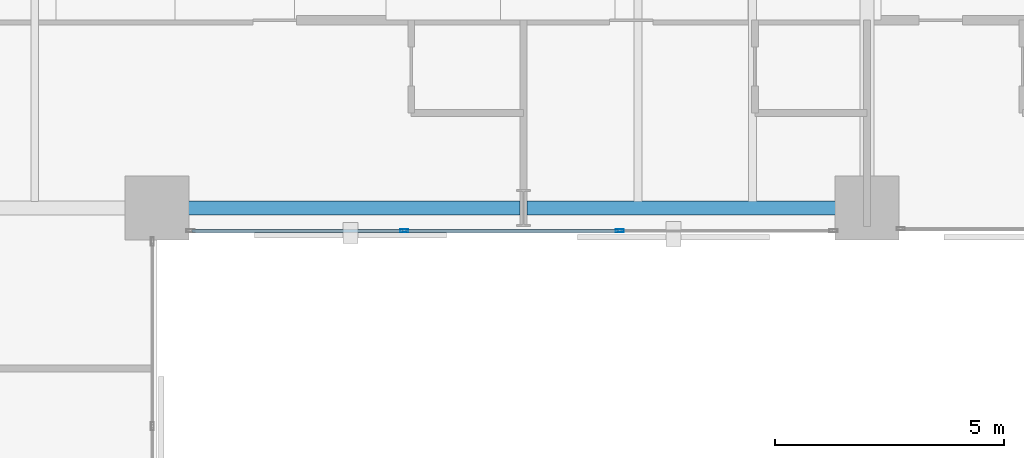
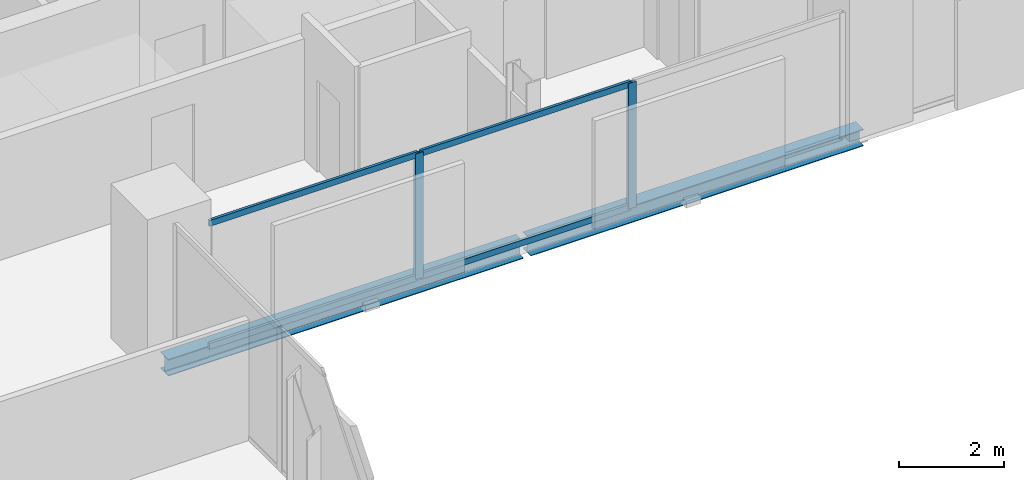
# One storey, part 14 of 33: 6 members, 2 beams, 1 element without a shape of its own.
"""IFC4 building model written with IfcOpenShell, lengths in metres."""

from ifc_helpers import new_model, si_unit, direction, frame, origin, origin_2d, place, context, subcontext, project, spatial, hollow_rectangle, i_section, extrude, material, layer, layer_set, material_profile, profile_set, type_object, element, aggregate, save


model = new_model("IFC4")

# Units and contexts
model_context = context("Model", 3, precision=1e-05, world=origin(), true_north=direction((0.0, 1.0)))
body_context = subcontext(model_context, "Body", "Model", "MODEL_VIEW")
ifc_project = project(units=[si_unit("LENGTHUNIT", "METRE"), si_unit("AREAUNIT", "SQUARE_METRE"), si_unit("VOLUMEUNIT", "CUBIC_METRE"), si_unit("PLANEANGLEUNIT", "RADIAN"), si_unit("MASSUNIT", "GRAM", prefix="KILO")], contexts=[model_context])

# Site, building, storey
site_placement = place(None, origin())
site = spatial("IfcSite", under=ifc_project, at=site_placement, CompositionType="ELEMENT")
building_placement = place(site_placement, origin())
building = spatial("IfcBuilding", under=site, at=building_placement, Name="Catumbela Crestline Tower", CompositionType="ELEMENT")
storey_placement = place(building_placement, frame((0.0, 0.0, 58.2)))
storey = spatial("IfcBuildingStorey", under=building, at=storey_placement, Name="L14", CompositionType="ELEMENT", Elevation=58.2)

# Curtain wall, members
ifc_material_1 = material(Name="Aluminium alloy AW-6060-T66", Category="aluminium")
ifc_layer = layer(ifc_material_1, 0.18, Name="Aluminium alloy AW-6060-T66")
ifc_layer_set = layer_set([ifc_layer], Name="Aluminium alloy AW-6060-T66")
curtain_wall_type = type_object("IfcCurtainWallType", Name="CWU-Z1", PredefinedType="USERDEFINED", material=ifc_layer_set)
curtain_wall_placement = place(storey_placement, origin())
curtain_wall = element("IfcCurtainWall", 1, at=curtain_wall_placement, inside=storey, type_object=curtain_wall_type, Name="L14 Unitised Curtain Wall CW-L14-E3S1", ObjectType="UNITISED", PredefinedType="USERDEFINED")
ifc_material_profile_1 = material_profile(ifc_material_1, hollow_rectangle(XDim=0.065, YDim=0.18, WallThickness=0.004, at=origin_2d()), Name="ALU 180x65x4")
ifc_profile_set_1 = profile_set([ifc_material_profile_1], Name="Aluminium alloy AW-6060-T66")
member_type_1 = type_object("IfcMemberType", Name="MUL-180X65", PredefinedType="MULLION", material=ifc_profile_set_1)
member_1_placement = place(storey_placement, frame((29.4, 24.0, 0.0), z_axis=(0.0, 0.0, 1.0), x_axis=(0.0, 1.0, 0.0)))
member_1 = element("IfcMember", 2, at=member_1_placement, type_object=member_type_1, Name="CWU-Z1 mullion 2", PredefinedType="MULLION", context=body_context, shape_type="SweptSolid", body=[
    extrude(hollow_rectangle(XDim=0.065, YDim=0.18, WallThickness=0.004, at=origin_2d()), origin(), (0.0, 0.0, 1.0), 2.93),
])
member_2_placement = place(storey_placement, frame((34.1, 24.0, 0.0), z_axis=(0.0, 0.0, 1.0), x_axis=(0.0, 1.0, 0.0)))
member_2 = element("IfcMember", 3, at=member_2_placement, type_object=member_type_1, Name="CWU-Z1 mullion 3", PredefinedType="MULLION", context=body_context, shape_type="SweptSolid", body=[
    extrude(hollow_rectangle(XDim=0.065, YDim=0.18, WallThickness=0.004, at=origin_2d()), origin(), (0.0, 0.0, 1.0), 2.93),
])

# Beams
ifc_material_2 = material(Name="Structural steel S355J2", Category="steel")
ifc_material_profile_2 = material_profile(ifc_material_2, i_section(OverallWidth=0.3, OverallDepth=0.39, WebThickness=0.011, FlangeThickness=0.019, FilletRadius=0.027, at=origin_2d()), Name="HEA 400")
ifc_profile_set_2 = profile_set([ifc_material_profile_2], Name="Structural steel S355J2")
beam_type = type_object("IfcBeamType", Name="BS-HEA400", PredefinedType="SPANDREL", material=ifc_profile_set_2)
beam_1_placement = place(storey_placement, frame((24.08, 24.5, -0.455), z_axis=(1.0, 0.0, 0.0), x_axis=(0.0, 1.0, 0.0)))
element("IfcBeam", 4, at=beam_1_placement, inside=storey, type_object=beam_type, Name="L14 Spandrel SP-L14-S05", PredefinedType="SPANDREL", context=body_context, shape_type="SweptSolid", body=[
    extrude(i_section(OverallWidth=0.3, OverallDepth=0.39, WebThickness=0.011, FlangeThickness=0.019, FilletRadius=0.027, at=origin_2d()), origin(), (0.0, 0.0, 1.0), 7.84),
])
beam_2_placement = place(storey_placement, frame((32.08, 24.5, -0.455), z_axis=(1.0, 0.0, 0.0), x_axis=(0.0, 1.0, 0.0)))
element("IfcBeam", 5, at=beam_2_placement, inside=storey, type_object=beam_type, Name="L14 Spandrel SP-L14-S06", PredefinedType="SPANDREL", context=body_context, shape_type="SweptSolid", body=[
    extrude(i_section(OverallWidth=0.3, OverallDepth=0.39, WebThickness=0.011, FlangeThickness=0.019, FilletRadius=0.027, at=origin_2d()), origin(), (0.0, 0.0, 1.0), 7.34),
])

# Member
ifc_material_profile_3 = material_profile(ifc_material_1, hollow_rectangle(XDim=0.06, YDim=0.14, WallThickness=0.004, at=origin_2d()), Name="ALU 140x60x4")
ifc_profile_set_3 = profile_set([ifc_material_profile_3], Name="Aluminium alloy AW-6060-T66")
member_type_2 = type_object("IfcMemberType", Name="TRN-140X60", PredefinedType="USERDEFINED", material=ifc_profile_set_3)
member_3_placement = place(storey_placement, frame((24.765, 24.0, 0.03), z_axis=(1.0, 0.0, 0.0), x_axis=(0.0, 1.0, 0.0)))
member_3 = element("IfcMember", 6, at=member_3_placement, type_object=member_type_2, Name="CWU-Z1 transom 1.1", ObjectType="TRANSOM", PredefinedType="USERDEFINED", context=body_context, shape_type="SweptSolid", body=[
    extrude(hollow_rectangle(XDim=0.06, YDim=0.14, WallThickness=0.004, at=origin_2d()), origin(), (0.0, 0.0, 1.0), 4.6025),
])

member_4_placement = place(storey_placement, frame((24.765, 24.0, 2.9), z_axis=(1.0, 0.0, 0.0), x_axis=(0.0, 1.0, 0.0)))
member_4 = element("IfcMember", 7, at=member_4_placement, type_object=member_type_2, Name="CWU-Z1 transom 1.2", ObjectType="TRANSOM", PredefinedType="USERDEFINED", context=body_context, shape_type="SweptSolid", body=[
    extrude(hollow_rectangle(XDim=0.06, YDim=0.14, WallThickness=0.004, at=origin_2d()), origin(), (0.0, 0.0, 1.0), 4.6025),
])

member_5_placement = place(storey_placement, frame((29.4325, 24.0, 0.03), z_axis=(1.0, 0.0, 0.0), x_axis=(0.0, 1.0, 0.0)))
member_5 = element("IfcMember", 8, at=member_5_placement, type_object=member_type_2, Name="CWU-Z1 transom 2.1", ObjectType="TRANSOM", PredefinedType="USERDEFINED", context=body_context, shape_type="SweptSolid", body=[
    extrude(hollow_rectangle(XDim=0.06, YDim=0.14, WallThickness=0.004, at=origin_2d()), origin(), (0.0, 0.0, 1.0), 4.635),
])

member_6_placement = place(storey_placement, frame((29.4325, 24.0, 2.9), z_axis=(1.0, 0.0, 0.0), x_axis=(0.0, 1.0, 0.0)))
member_6 = element("IfcMember", 9, at=member_6_placement, type_object=member_type_2, Name="CWU-Z1 transom 2.2", ObjectType="TRANSOM", PredefinedType="USERDEFINED", context=body_context, shape_type="SweptSolid", body=[
    extrude(hollow_rectangle(XDim=0.06, YDim=0.14, WallThickness=0.004, at=origin_2d()), origin(), (0.0, 0.0, 1.0), 4.635),
])

aggregate(curtain_wall, [member_1, member_2, member_3, member_4, member_5, member_6])

save(model, "model.ifc")
